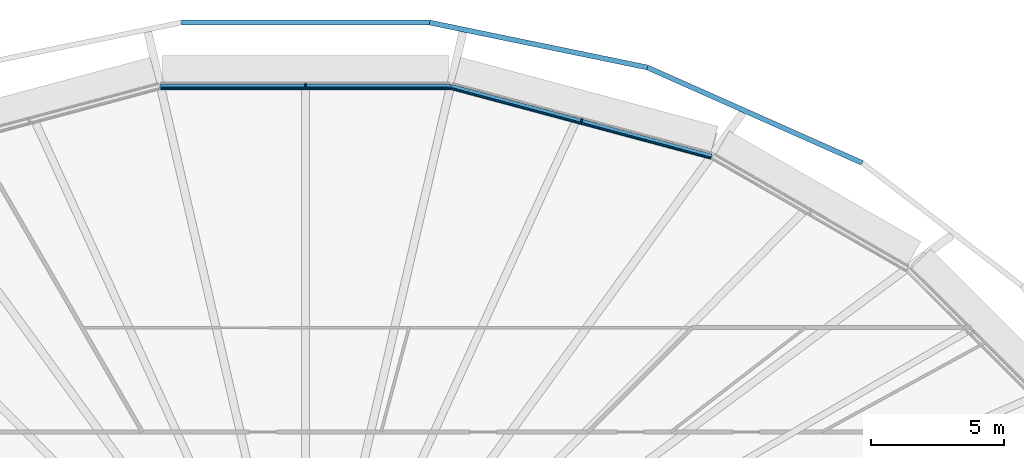
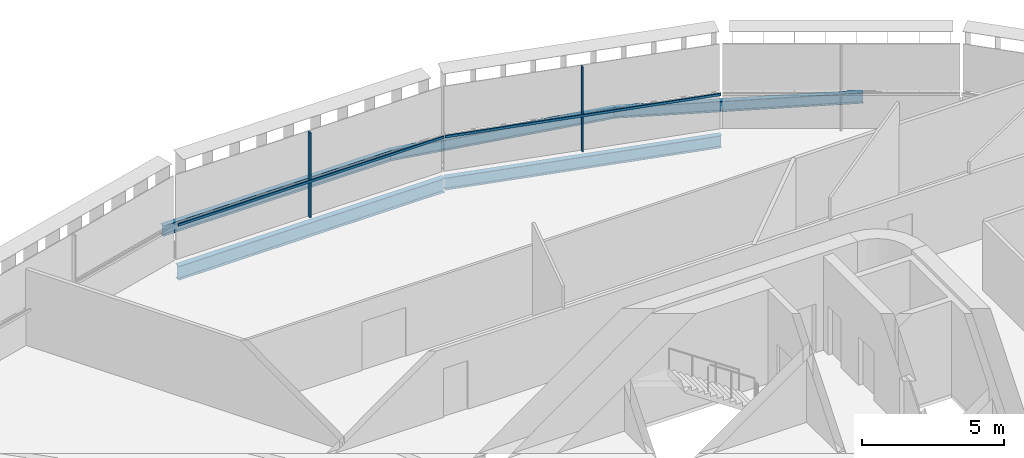
# One storey, part 11 of 25: 5 beams, 4 members, 2 elements without a shape of their own.
"""IFC4 building model written with IfcOpenShell, lengths in metres."""

from ifc_helpers import new_model, si_unit, direction, frame, origin, origin_2d, place, context, subcontext, project, spatial, rectangle, i_section, extrude, material, layer, layer_set, material_profile, profile_set, type_object, element, aggregate, save


model = new_model("IFC4")

# Units and contexts
model_context = context("Model", 3, precision=1e-05, world=origin(), true_north=direction((0.0, 1.0)))
body_context = subcontext(model_context, "Body", "Model", "MODEL_VIEW")
ifc_project = project(units=[si_unit("LENGTHUNIT", "METRE"), si_unit("AREAUNIT", "SQUARE_METRE"), si_unit("VOLUMEUNIT", "CUBIC_METRE"), si_unit("PLANEANGLEUNIT", "RADIAN"), si_unit("MASSUNIT", "GRAM", prefix="KILO")], contexts=[model_context])

# Site, building, storey
site_placement = place(None, origin())
site = spatial("IfcSite", under=ifc_project, at=site_placement, CompositionType="ELEMENT")
building_placement = place(site_placement, origin())
building = spatial("IfcBuilding", under=site, at=building_placement, Name="Sahrelin Media Tower", CompositionType="ELEMENT")
storey_placement = place(building_placement, frame((0.0, 0.0, 139.800048828125)))
storey = spatial("IfcBuildingStorey", under=building, at=storey_placement, Name="L28", CompositionType="ELEMENT", Elevation=139.800048828125)

# Beams
ifc_material_1 = material(Name="Steel S355", Category="steel")
ifc_material_profile_1 = material_profile(ifc_material_1, i_section(OverallWidth=0.208740234375, OverallDepth=0.5283203125, WebThickness=0.009521484375, FlangeThickness=0.01318359375, FilletRadius=0.0126953125, at=origin_2d()), Name="UB 533x210x82")
ifc_profile_set_1 = profile_set([ifc_material_profile_1], Name="Steel S355")
beam_type_1 = type_object("IfcBeamType", Name="Edge beam EB6", PredefinedType="BEAM", material=ifc_profile_set_1)
beam_1_placement = place(storey_placement, frame((5.46337890625, 23.5419921875, -0.4140625), z_axis=(0.96592349726, -0.258827737002, 0.0), x_axis=(0.258827737002, 0.96592349726, 0.0)))
element("IfcBeam", 1, at=beam_1_placement, inside=storey, type_object=beam_type_1, Name="Edge beam L28-20", PredefinedType="BEAM", context=body_context, shape_type="SweptSolid", body=[
    extrude(i_section(OverallWidth=0.208740234375, OverallDepth=0.5283203125, WebThickness=0.009521484375, FlangeThickness=0.01318359375, FilletRadius=0.0126953125, at=origin_2d()), origin(), (0.0, 0.0, 1.0), 10.119140625),
])
ifc_material_profile_2 = material_profile(ifc_material_1, i_section(OverallWidth=0.2275390625, OverallDepth=0.6025390625, WebThickness=0.010498046875, FlangeThickness=0.014892578125, FilletRadius=0.0126953125, at=origin_2d()), Name="UB 610x229x101")
ifc_profile_set_2 = profile_set([ifc_material_profile_2], Name="Steel S355")
beam_type_2 = type_object("IfcBeamType", Name="Edge beam EB7", PredefinedType="BEAM", material=ifc_profile_set_2)
beam_2_placement = place(storey_placement, frame((-5.434814453125, 23.545654296875, -0.451416015625), z_axis=(1.0, 0.0, 0.0), x_axis=(0.0, 1.0, 0.0)))
element("IfcBeam", 2, at=beam_2_placement, inside=storey, type_object=beam_type_2, Name="Edge beam L28-19", PredefinedType="BEAM", context=body_context, shape_type="SweptSolid", body=[
    extrude(i_section(OverallWidth=0.2275390625, OverallDepth=0.6025390625, WebThickness=0.010498046875, FlangeThickness=0.014892578125, FilletRadius=0.0126953125, at=origin_2d()), origin(), (0.0, 0.0, 1.0), 10.86962890625),
])

# Curtain wall, member
ifc_material_2 = material(Name="Champagne anodised aluminium 6063-T6", Category="aluminium")
ifc_layer = layer(ifc_material_2, 0.14990234375)
ifc_layer_set = layer_set([ifc_layer], Name="Tower ribbon curtain wall")
curtain_wall_type = type_object("IfcCurtainWallType", Name="Tower ribbon curtain wall", PredefinedType="NOTDEFINED", material=ifc_layer_set)
curtain_wall_1_placement = place(storey_placement, frame((10.389404296875, 22.377197265625, 0.0), z_axis=(0.0, 0.0, 1.0), x_axis=(1.0, 0.0, 0.0)))
curtain_wall_1 = element("IfcCurtainWall", 3, at=curtain_wall_1_placement, inside=storey, type_object=curtain_wall_type, Name="L28:CW:L28-05", PredefinedType="NOTDEFINED")
ifc_material_profile_3 = material_profile(ifc_material_2, rectangle(XDim=0.06005859375, YDim=0.14990234375, at=origin_2d()), Name="Mullion 60x150")
ifc_profile_set_3 = profile_set([ifc_material_profile_3], Name="Champagne anodised aluminium 6063-T6")
member_type_1 = type_object("IfcMemberType", Name="Mullion 60x150 CW1", PredefinedType="MULLION", material=ifc_profile_set_3)
member_1_placement = place(storey_placement, frame((10.364990234375, 22.285400390625, 0.0), z_axis=(0.0, 0.0, 1.0), x_axis=(-0.965925826289, 0.258819045103, 0.0)))
member_1 = element("IfcMember", 4, at=member_1_placement, type_object=member_type_1, Name="L28:CWM:L28-05", PredefinedType="MULLION", context=body_context, shape_type="SweptSolid", body=[
    extrude(rectangle(XDim=0.06005859375, YDim=0.14990234375, at=origin_2d()), origin(), (0.0, 0.0, 1.0), 3.6484375),
])

curtain_wall_2_placement = place(storey_placement, frame((0.0, 23.69580078125, 0.0), z_axis=(0.0, 0.0, 1.0), x_axis=(1.0, 0.0, 0.0)))
curtain_wall_2 = element("IfcCurtainWall", 5, at=curtain_wall_2_placement, inside=storey, type_object=curtain_wall_type, Name="L28:CW:L28-06", PredefinedType="NOTDEFINED")
member_2_placement = place(storey_placement, frame((0.0, 23.6005859375, 0.0), z_axis=(0.0, 0.0, 1.0), x_axis=(-1.0, 0.0, 0.0)))
member_2 = element("IfcMember", 6, at=member_2_placement, type_object=member_type_1, Name="L28:CWM:L28-06", PredefinedType="MULLION", context=body_context, shape_type="SweptSolid", body=[
    extrude(rectangle(XDim=0.06005859375, YDim=0.14990234375, at=origin_2d()), origin(), (0.0, 0.0, 1.0), 3.6484375),
])

# Beams
ifc_material_profile_4 = material_profile(ifc_material_1, i_section(OverallWidth=0.1904296875, OverallDepth=0.45703125, WebThickness=0.009033203125, FlangeThickness=0.014404296875, FilletRadius=0.01025390625, at=origin_2d()), Name="UB 457x191x74")
ifc_profile_set_4 = profile_set([ifc_material_profile_4], Name="Steel S355")
beam_type_3 = type_object("IfcBeamType", Name="Tie chord TC5", PredefinedType="BEAM", material=ifc_profile_set_4)
beam_3_placement = place(storey_placement, frame((20.899658203125, 20.690673828125, -0.378662109375), z_axis=(-0.913829789839, 0.406097420827, 0.0), x_axis=(-0.406097420827, -0.913829789839, 0.0)))
element("IfcBeam", 7, at=beam_3_placement, inside=storey, type_object=beam_type_3, Name="Tie chord L28-04", PredefinedType="BEAM", context=body_context, shape_type="SweptSolid", body=[
    extrude(i_section(OverallWidth=0.1904296875, OverallDepth=0.45703125, WebThickness=0.009033203125, FlangeThickness=0.014404296875, FilletRadius=0.01025390625, at=origin_2d()), origin(), (0.0, 0.0, 1.0), 8.830322265625),
])
beam_4_placement = place(storey_placement, frame((12.830322265625, 24.276611328125, -0.378662109375), z_axis=(-0.979388144388, 0.201987283341, 0.0), x_axis=(-0.201987283341, -0.979388144388, 0.0)))
element("IfcBeam", 8, at=beam_4_placement, inside=storey, type_object=beam_type_3, Name="Tie chord L28-05", PredefinedType="BEAM", context=body_context, shape_type="SweptSolid", body=[
    extrude(i_section(OverallWidth=0.1904296875, OverallDepth=0.45703125, WebThickness=0.009033203125, FlangeThickness=0.014404296875, FilletRadius=0.01025390625, at=origin_2d()), origin(), (0.0, 0.0, 1.0), 8.343505859375),
])
beam_5_placement = place(storey_placement, frame((4.65869140625, 25.9619140625, -0.378662109375), z_axis=(-1.0, 0.0, 0.0), x_axis=(0.0, -1.0, 0.0)))
element("IfcBeam", 9, at=beam_5_placement, inside=storey, type_object=beam_type_3, Name="Tie chord L28-06", PredefinedType="BEAM", context=body_context, shape_type="SweptSolid", body=[
    extrude(i_section(OverallWidth=0.1904296875, OverallDepth=0.45703125, WebThickness=0.009033203125, FlangeThickness=0.014404296875, FilletRadius=0.01025390625, at=origin_2d()), origin(), (0.0, 0.0, 1.0), 9.3173828125),
])

# Member
ifc_material_profile_5 = material_profile(ifc_material_2, rectangle(XDim=0.050048828125, YDim=0.10009765625, at=origin_2d()), Name="Transom 50x100")
ifc_profile_set_5 = profile_set([ifc_material_profile_5], Name="Champagne anodised aluminium 6063-T6")
member_type_2 = type_object("IfcMemberType", Name="Transom 50x100 CW1", PredefinedType="USERDEFINED", material=ifc_profile_set_5)
member_3_placement = place(storey_placement, frame((15.2109375, 20.883544921875, 1.599853515625), z_axis=(-0.965928174808, 0.258810280151, 0.0), x_axis=(-0.258810280151, -0.965928174808, 0.0)))
member_3 = element("IfcMember", 10, at=member_3_placement, type_object=member_type_2, Name="L28:CWT:L28-05", ObjectType="TRANSOM", PredefinedType="USERDEFINED", context=body_context, shape_type="SweptSolid", body=[
    extrude(rectangle(XDim=0.050048828125, YDim=0.10009765625, at=origin_2d()), origin(), (0.0, 0.0, 1.0), 10.087890625),
])

aggregate(curtain_wall_1, [member_1, member_3])

member_4_placement = place(storey_placement, frame((5.419189453125, 23.500732421875, 1.599853515625), z_axis=(-1.0, 0.0, 0.0), x_axis=(0.0, -1.0, 0.0)))
member_4 = element("IfcMember", 11, at=member_4_placement, type_object=member_type_2, Name="L28:CWT:L28-06", ObjectType="TRANSOM", PredefinedType="USERDEFINED", context=body_context, shape_type="SweptSolid", body=[
    extrude(rectangle(XDim=0.050048828125, YDim=0.10009765625, at=origin_2d()), origin(), (0.0, 0.0, 1.0), 10.83837890625),
])

aggregate(curtain_wall_2, [member_2, member_4])

save(model, "model.ifc")
